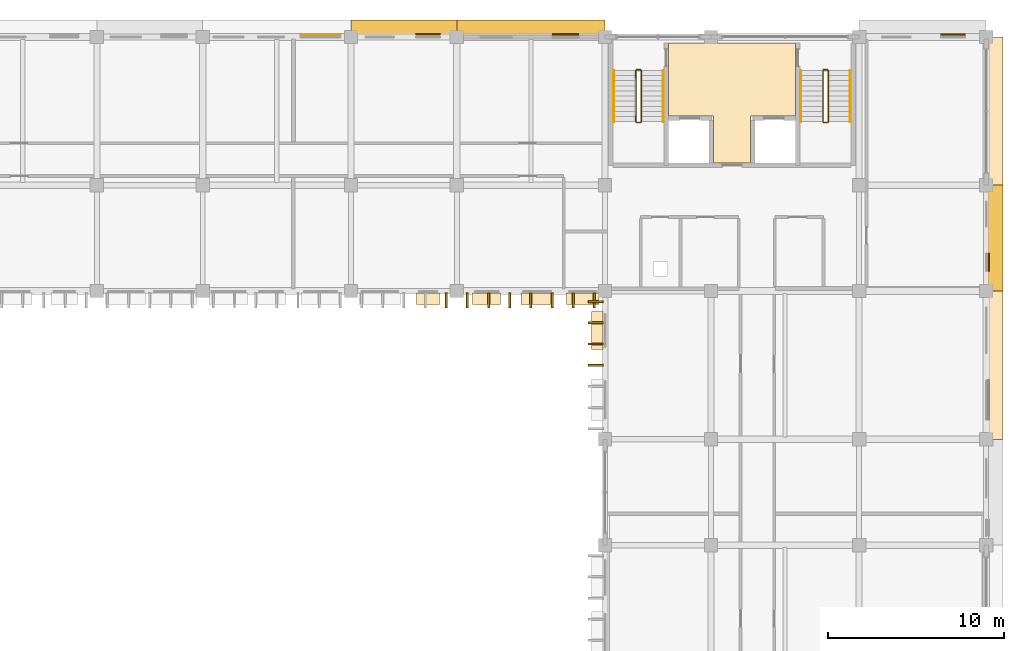
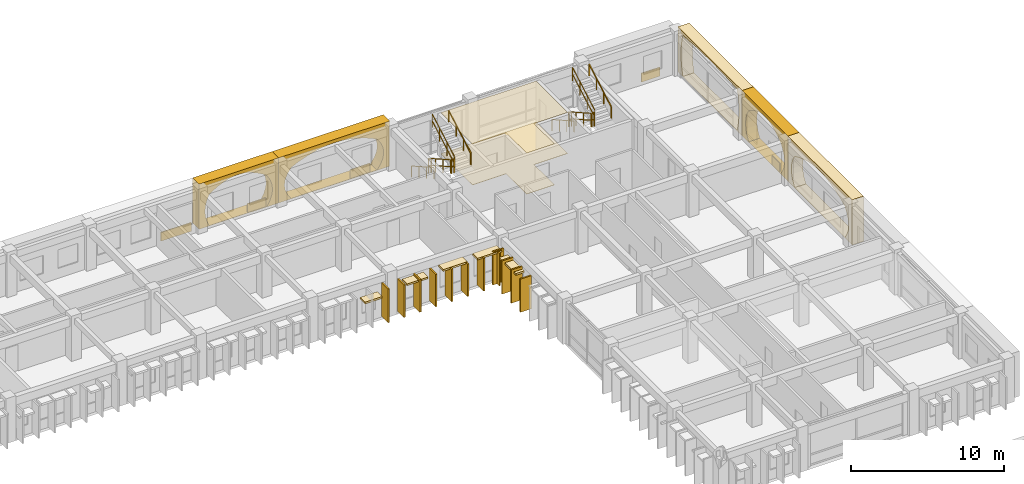
# One storey, part 87 of 88: 29 coverings, 12 railings.
"""IFC4 building model written with IfcOpenShell, lengths in metres."""

from ifc_helpers import new_model, si_unit, direction, frame, origin, origin_2d, place, context, subcontext, project, spatial, polyline, rectangle, outline, extrude, material, layer, layer_set, type_object, element, save


model = new_model("IFC4")

# Units and contexts
model_context = context("Model", 3, precision=1e-05, world=origin(), true_north=direction((0.0, 1.0)))
body_context = subcontext(model_context, "Body", "Model", "MODEL_VIEW")
ifc_project = project(units=[si_unit("LENGTHUNIT", "METRE"), si_unit("AREAUNIT", "SQUARE_METRE"), si_unit("VOLUMEUNIT", "CUBIC_METRE"), si_unit("PLANEANGLEUNIT", "RADIAN"), si_unit("MASSUNIT", "GRAM", prefix="KILO"), si_unit("THERMODYNAMICTEMPERATUREUNIT", "KELVIN")], contexts=[model_context])

# Site, building, storey
site_placement = place(None, origin())
site = spatial("IfcSite", under=ifc_project, at=site_placement, CompositionType="ELEMENT")
building_placement = place(site_placement, origin())
building = spatial("IfcBuilding", under=site, at=building_placement, Name="Thalorik Housing Commons", CompositionType="ELEMENT")
storey_placement = place(building_placement, frame((0.0, 0.0, 4.5)))
storey = spatial("IfcBuildingStorey", under=building, at=storey_placement, Name="L01", CompositionType="ELEMENT", Elevation=4.5)

# Coverings
ifc_material_1 = material(Name="Cobalt blue glazed ceramic facade tile panel", Category="masonry")
ifc_layer_1 = layer(ifc_material_1, 0.06005859375, Name="Cobalt blue glazed ceramic facade tile panel", Category="masonry")
ifc_layer_set_1 = layer_set([ifc_layer_1], Name="Cobalt blue glazed ceramic facade tile panel")
covering_type_1 = type_object("IfcCoveringType", Name="ARC-CLD-BLU-60", PredefinedType="CLADDING", material=ifc_layer_set_1)
covering_1_placement = place(storey_placement, frame((172.12744140625, 123.742431640625, 0.0498046875), z_axis=(0.0, 0.0, 1.0), x_axis=(-1.0, 0.0, 0.0)))
element("IfcCovering", 1, at=covering_1_placement, inside=storey, type_object=covering_type_1, Name="L01 De Stijl Recessed Window Spandrel 1501", PredefinedType="CLADDING", context=body_context, shape_type="SweptSolid", body=[
    extrude(rectangle(XDim=1.39990234375, YDim=0.06005859375, at=origin_2d()), origin(), (0.0, 0.0, 1.0), 0.699951171875),
])
covering_2_placement = place(storey_placement, frame((150.169921875, 123.742431640625, 0.0498046875), z_axis=(0.0, 0.0, 1.0), x_axis=(-1.0, 0.0, 0.0)))
element("IfcCovering", 2, at=covering_2_placement, inside=storey, type_object=covering_type_1, Name="L01 De Stijl Recessed Window Spandrel 1503", PredefinedType="CLADDING", context=body_context, shape_type="SweptSolid", body=[
    extrude(rectangle(XDim=1.5, YDim=0.06005859375, at=origin_2d()), origin(), (0.0, 0.0, 1.0), 0.699951171875),
])
ifc_material_2 = material(Name="Precast concrete C40/50", Category="concrete")
ifc_layer_2 = layer(ifc_material_2, 0.85009765625, Name="Precast concrete C40/50", Category="concrete")
ifc_layer_set_2 = layer_set([ifc_layer_2], Name="Precast concrete C40/50")
covering_type_2 = type_object("IfcCoveringType", Name="ARC-CLD-CUSH-850", PredefinedType="CLADDING", material=ifc_layer_set_2)
covering_3_placement = place(storey_placement, frame((174.532470703125, 112.199951171875, 0.0), z_axis=(0.0, 0.0, 1.0), x_axis=(0.0, 1.0, 0.0)))
element("IfcCovering", 3, at=covering_3_placement, inside=storey, type_object=covering_type_2, Name="L01 White Precast Curved Cushion Bay Frame 1497", PredefinedType="CLADDING", context=body_context, shape_type="SweptSolid", body=[
    extrude(outline(polyline([(-3.0, 0.0), (3.0, 0.0), (3.0, 3.60009765625), (-3.0, 3.60009765625), (-3.0, 0.0)]), holes=[polyline([(2.14501953125, 0.02490234375), (2.3701171875, 0.4375), (2.5048828125, 0.85009765625), (2.550048828125, 1.262451171875), (2.5048828125, 1.675048828125), (2.3701171875, 2.08740234375), (2.14501953125, 2.5), (1.796142578125, 2.755615234375), (1.447509765625, 2.956298828125), (1.0986328125, 3.119140625), (0.75, 3.239990234375), (0.401123046875, 3.314697265625), (0.052490234375, 3.340087890625), (-0.29638671875, 3.314697265625), (-0.64501953125, 3.239990234375), (-0.993896484375, 3.119140625), (-1.342529296875, 2.956298828125), (-1.691162109375, 2.755615234375), (-2.0400390625, 2.5), (-2.3232421875, 2.08740234375), (-2.493408203125, 1.675048828125), (-2.550048828125, 1.262451171875), (-2.493408203125, 0.85009765625), (-2.3232421875, 0.4375), (-2.0400390625, 0.02490234375), (2.14501953125, 0.02490234375)])]), frame((0.0, 0.425048828125, 0.0), z_axis=(0.0, -1.0, 0.0), x_axis=(1.0, 0.0, 0.0)), (0.0, 0.0, 1.0), 0.85009765625),
])
covering_4_placement = place(storey_placement, frame((174.532470703125, 119.39990234375, 0.0), z_axis=(0.0, 0.0, 1.0), x_axis=(0.0, 1.0, 0.0)))
element("IfcCovering", 4, at=covering_4_placement, inside=storey, type_object=covering_type_2, Name="L01 White Precast Curved Cushion Bay Frame 1499", PredefinedType="CLADDING", context=body_context, shape_type="SweptSolid", body=[
    extrude(outline(polyline([(-4.199951171875, 0.0), (4.199951171875, 0.0), (4.199951171875, 3.60009765625), (-4.199951171875, 3.60009765625), (-4.199951171875, 0.0)]), holes=[polyline([(3.550048828125, 0.02490234375), (3.687255859375, 0.57421875), (3.76953125, 1.123291015625), (3.797119140625, 1.672607421875), (3.76953125, 2.2216796875), (3.687255859375, 2.770751953125), (3.550048828125, 3.320068359375), (2.958251953125, 3.362548828125), (2.36669921875, 3.39599609375), (1.77490234375, 3.423095703125), (1.183349609375, 3.443359375), (0.591796875, 3.455810546875), (0.0, 3.4599609375), (-0.591796875, 3.455810546875), (-1.183349609375, 3.443359375), (-1.77490234375, 3.423095703125), (-2.36669921875, 3.39599609375), (-2.958251953125, 3.362548828125), (-3.550048828125, 3.320068359375), (-3.687255859375, 2.770751953125), (-3.76953125, 2.2216796875), (-3.797119140625, 1.672607421875), (-3.76953125, 1.123291015625), (-3.687255859375, 0.57421875), (-3.550048828125, 0.02490234375), (3.550048828125, 0.02490234375)])]), frame((0.0, 0.425048828125, 0.0), z_axis=(0.0, -1.0, 0.0), x_axis=(1.0, 0.0, 0.0)), (0.0, 0.0, 1.0), 0.85009765625),
])
covering_5_placement = place(storey_placement, frame((148.199951171875, 124.132568359375, 0.0), z_axis=(0.0, 0.0, 1.0), x_axis=(-1.0, 0.0, 0.0)))
element("IfcCovering", 5, at=covering_5_placement, inside=storey, type_object=covering_type_2, Name="L01 White Precast Curved Cushion Bay Frame 1502", PredefinedType="CLADDING", context=body_context, shape_type="SweptSolid", body=[
    extrude(outline(polyline([(-4.199951171875, 0.0), (4.199951171875, 0.0), (4.199951171875, 3.60009765625), (-4.199951171875, 3.60009765625), (-4.199951171875, 0.0)]), holes=[polyline([(3.239990234375, 0.02490234375), (3.523193359375, 0.4375), (3.693359375, 0.85009765625), (3.75, 1.262451171875), (3.693359375, 1.675048828125), (3.523193359375, 2.08740234375), (3.239990234375, 2.5), (2.699951171875, 2.755615234375), (2.159912109375, 2.956298828125), (1.6201171875, 3.119140625), (1.080078125, 3.239990234375), (0.5400390625, 3.314697265625), (0.0, 3.340087890625), (-0.5400390625, 3.314697265625), (-1.080078125, 3.239990234375), (-1.6201171875, 3.119140625), (-2.159912109375, 2.956298828125), (-2.699951171875, 2.755615234375), (-3.239990234375, 2.5), (-3.523193359375, 2.08740234375), (-3.693359375, 1.675048828125), (-3.75, 1.262451171875), (-3.693359375, 0.85009765625), (-3.523193359375, 0.4375), (-3.239990234375, 0.02490234375), (3.239990234375, 0.02490234375)])]), frame((0.0, 0.425048828125, 0.0), z_axis=(0.0, -1.0, 0.0), x_axis=(1.0, 0.0, 0.0)), (0.0, 0.0, 1.0), 0.85009765625),
])
covering_6_placement = place(storey_placement, frame((141.0, 124.132568359375, 0.0), z_axis=(0.0, 0.0, 1.0), x_axis=(-1.0, 0.0, 0.0)))
element("IfcCovering", 6, at=covering_6_placement, inside=storey, type_object=covering_type_2, Name="L01 White Precast Curved Cushion Bay Frame 1504", PredefinedType="CLADDING", context=body_context, shape_type="SweptSolid", body=[
    extrude(outline(polyline([(-3.0, 0.0), (3.0, 0.0), (3.0, 3.60009765625), (-3.0, 3.60009765625), (-3.0, 0.0)]), holes=[polyline([(2.2451171875, 0.02490234375), (2.414306640625, 0.4375), (2.51611328125, 0.85009765625), (2.550048828125, 1.262451171875), (2.51611328125, 1.675048828125), (2.414306640625, 2.08740234375), (2.2451171875, 2.5), (1.88134765625, 2.755615234375), (1.517578125, 2.956298828125), (1.15380859375, 3.119140625), (0.7900390625, 3.239990234375), (0.42626953125, 3.314697265625), (0.0625, 3.340087890625), (-0.30126953125, 3.314697265625), (-0.6650390625, 3.239990234375), (-1.02880859375, 3.119140625), (-1.392578125, 2.956298828125), (-1.756103515625, 2.755615234375), (-2.1201171875, 2.5), (-2.35888671875, 2.08740234375), (-2.502197265625, 1.675048828125), (-2.550048828125, 1.262451171875), (-2.502197265625, 0.85009765625), (-2.35888671875, 0.4375), (-2.1201171875, 0.02490234375), (2.2451171875, 0.02490234375)])]), frame((0.0, 0.425048828125, 0.0), z_axis=(0.0, -1.0, 0.0), x_axis=(1.0, 0.0, 0.0)), (0.0, 0.0, 1.0), 0.85009765625),
])
covering_7_placement = place(storey_placement, frame((174.532470703125, 105.0, 0.0), z_axis=(0.0, 0.0, 1.0), x_axis=(0.0, 1.0, 0.0)))
element("IfcCovering", 7, at=covering_7_placement, inside=storey, type_object=covering_type_2, Name="L01 White Precast Curved Cushion Bay Frame 1652", PredefinedType="CLADDING", context=body_context, shape_type="SweptSolid", body=[
    extrude(outline(polyline([(-4.199951171875, 0.0), (4.199951171875, 0.0), (4.199951171875, 3.60009765625), (-4.199951171875, 3.60009765625), (-4.199951171875, 0.0)]), holes=[polyline([(3.320068359375, 0.02490234375), (3.558837890625, 0.44091796875), (3.7021484375, 0.856689453125), (3.75, 1.2724609375), (3.7021484375, 1.688232421875), (3.558837890625, 2.104248046875), (3.320068359375, 2.52001953125), (2.773193359375, 2.76953125), (2.226806640625, 2.965576171875), (1.679931640625, 3.12451171875), (1.13330078125, 3.242431640625), (0.586669921875, 3.3154296875), (0.0400390625, 3.340087890625), (-0.506591796875, 3.3154296875), (-1.05322265625, 3.242431640625), (-1.60009765625, 3.12451171875), (-2.146728515625, 2.965576171875), (-2.693359375, 2.76953125), (-3.239990234375, 2.52001953125), (-3.523193359375, 2.104248046875), (-3.693359375, 1.688232421875), (-3.75, 1.2724609375), (-3.693359375, 0.856689453125), (-3.523193359375, 0.44091796875), (-3.239990234375, 0.02490234375), (3.320068359375, 0.02490234375)])]), frame((0.0, 0.425048828125, 0.0), z_axis=(0.0, -1.0, 0.0), x_axis=(1.0, 0.0, 0.0)), (0.0, 0.0, 1.0), 0.85009765625),
])
ifc_layer_3 = layer(ifc_material_2, 0.85009765625, Name="Precast concrete C40/50", Category="concrete")
ifc_layer_set_3 = layer_set([ifc_layer_3], Name="Precast concrete C40/50")
covering_type_3 = type_object("IfcCoveringType", Name="ARC-CLD-FIN-850", PredefinedType="CLADDING", material=ifc_layer_set_3)
covering_8_placement = place(storey_placement, frame((143.39990234375, 108.66748046875, 0.0400390625), z_axis=(0.0, 0.0, 1.0), x_axis=(1.0, 0.0, 0.0)))
element("IfcCovering", 8, at=covering_8_placement, inside=storey, type_object=covering_type_3, Name="L01 Courtyard Precast Vertical Brise-Soleil Fin 1593", PredefinedType="CLADDING", context=body_context, shape_type="SweptSolid", body=[
    extrude(rectangle(XDim=0.110107421875, YDim=0.85009765625, at=origin_2d()), origin(), (0.0, 0.0, 1.0), 2.695068359375),
])
for number, where, z_axis, x_axis, name in (
    (9, (144.60009765625, 108.66748046875, 0.0400390625), (0.0, 0.0, 1.0), (1.0, 0.0, 0.0), "L01 Courtyard Precast Vertical Brise-Soleil Fin 1596"),
    (10, (145.800048828125, 108.66748046875, 0.0400390625), (0.0, 0.0, 1.0), (1.0, 0.0, 0.0), "L01 Courtyard Precast Vertical Brise-Soleil Fin 1597"),
    (11, (147.0, 108.66748046875, 0.0400390625), (0.0, 0.0, 1.0), (1.0, 0.0, 0.0), "L01 Courtyard Precast Vertical Brise-Soleil Fin 1598"),
    (12, (148.199951171875, 108.66748046875, 0.0400390625), (0.0, 0.0, 1.0), (1.0, 0.0, 0.0), "L01 Courtyard Precast Vertical Brise-Soleil Fin 1599"),
    (13, (149.39990234375, 108.66748046875, 0.0400390625), (0.0, 0.0, 1.0), (1.0, 0.0, 0.0), "L01 Courtyard Precast Vertical Brise-Soleil Fin 1600"),
    (14, (150.60009765625, 108.66748046875, 0.0400390625), (0.0, 0.0, 1.0), (1.0, 0.0, 0.0), "L01 Courtyard Precast Vertical Brise-Soleil Fin 1601"),
    (15, (151.800048828125, 108.66748046875, 0.0400390625), (0.0, 0.0, 1.0), (1.0, 0.0, 0.0), "L01 Courtyard Precast Vertical Brise-Soleil Fin 1602"),
):
    element("IfcCovering", number, at=place(storey_placement, frame(where, z_axis=z_axis, x_axis=x_axis)), inside=storey, type_object=covering_type_3, Name=name, PredefinedType="CLADDING", context=body_context, shape_type="SweptSolid", body=[
        extrude(rectangle(XDim=0.110107421875, YDim=0.85009765625, at=origin_2d()), origin(), (0.0, 0.0, 1.0), 2.594970703125),
    ])
for number, where, z_axis, x_axis, name in (
    (16, (151.867431640625, 108.60009765625, 0.0400390625), (0.0, 0.0, 1.0), (0.0, -1.0, 0.0), "L01 Courtyard Precast Vertical Brise-Soleil Fin 1606"),
    (17, (151.867431640625, 107.39990234375, 0.0400390625), (0.0, 0.0, 1.0), (0.0, -1.0, 0.0), "L01 Courtyard Precast Vertical Brise-Soleil Fin 1607"),
    (18, (151.867431640625, 106.199951171875, 0.0400390625), (0.0, 0.0, 1.0), (0.0, -1.0, 0.0), "L01 Courtyard Precast Vertical Brise-Soleil Fin 1608"),
    (19, (151.867431640625, 105.0, 0.0400390625), (0.0, 0.0, 1.0), (0.0, -1.0, 0.0), "L01 Courtyard Precast Vertical Brise-Soleil Fin 1609"),
):
    element("IfcCovering", number, at=place(storey_placement, frame(where, z_axis=z_axis, x_axis=x_axis)), inside=storey, type_object=covering_type_3, Name=name, PredefinedType="CLADDING", context=body_context, shape_type="SweptSolid", body=[
        extrude(rectangle(XDim=0.110107421875, YDim=0.85009765625, at=origin_2d()), origin(), (0.0, 0.0, 1.0), 2.64501953125),
    ])
ifc_layer_4 = layer(ifc_material_2, 0.64990234375, Name="Precast concrete C40/50", Category="concrete")
ifc_layer_set_4 = layer_set([ifc_layer_4], Name="Precast concrete C40/50")
covering_type_4 = type_object("IfcCoveringType", Name="ARC-CLD-HOOD-650", PredefinedType="CLADDING", material=ifc_layer_set_4)
covering_9_placement = place(storey_placement, frame((142.3701171875, 108.767578125, 1.990234375), z_axis=(0.0, 0.0, 1.0), x_axis=(1.0, 0.0, 0.0)))
element("IfcCovering", 20, at=covering_9_placement, inside=storey, type_object=covering_type_4, Name="L01 Courtyard Precast Window Sun-Hood 1595", PredefinedType="CLADDING", context=body_context, shape_type="SweptSolid", body=[
    extrude(rectangle(XDim=1.2900390625, YDim=0.64990234375, at=origin_2d()), origin(), (0.0, 0.0, 1.0), 0.139892578125),
])
covering_10_placement = place(storey_placement, frame((145.68994140625, 108.767578125, 2.33984375), z_axis=(0.0, 0.0, 1.0), x_axis=(1.0, 0.0, 0.0)))
element("IfcCovering", 21, at=covering_10_placement, inside=storey, type_object=covering_type_4, Name="L01 Courtyard Precast Window Sun-Hood 1603", PredefinedType="CLADDING", context=body_context, shape_type="SweptSolid", body=[
    extrude(rectangle(XDim=1.590087890625, YDim=0.64990234375, at=origin_2d()), origin(), (0.0, 0.0, 1.0), 0.139892578125),
])
for number, where, z_axis, x_axis, name in (
    (22, (148.550048828125, 108.767578125, 2.52490234375), (0.0, 0.0, 1.0), (1.0, 0.0, 0.0), "L01 Courtyard Precast Window Sun-Hood 1604"),
    (23, (151.1298828125, 108.767578125, 2.52490234375), (0.0, 0.0, 1.0), (1.0, 0.0, 0.0), "L01 Courtyard Precast Window Sun-Hood 1605"),
):
    element("IfcCovering", number, at=place(storey_placement, frame(where, z_axis=z_axis, x_axis=x_axis)), inside=storey, type_object=covering_type_4, Name=name, PredefinedType="CLADDING", context=body_context, shape_type="SweptSolid", body=[
        extrude(rectangle(XDim=1.840087890625, YDim=0.64990234375, at=origin_2d()), origin(), (0.0, 0.0, 1.0), 0.139892578125),
    ])
covering_11_placement = place(storey_placement, frame((151.967529296875, 106.969970703125, 2.33984375), z_axis=(0.0, 0.0, 1.0), x_axis=(0.0, -1.0, 0.0)))
element("IfcCovering", 24, at=covering_11_placement, inside=storey, type_object=covering_type_4, Name="L01 Courtyard Precast Window Sun-Hood 1613", PredefinedType="CLADDING", context=body_context, shape_type="SweptSolid", body=[
    extrude(rectangle(XDim=2.139892578125, YDim=0.64990234375, at=origin_2d()), origin(), (0.0, 0.0, 1.0), 0.139892578125),
])
ifc_material_3 = material(Name="Terracotta red mineral fibre-cement panel", Category="masonry")
ifc_layer_5 = layer(ifc_material_3, 0.054931640625, Name="Terracotta red mineral fibre-cement panel", Category="masonry")
ifc_layer_set_5 = layer_set([ifc_layer_5], Name="Terracotta red mineral fibre-cement panel")
covering_type_5 = type_object("IfcCoveringType", Name="ARC-CLD-RED-55", PredefinedType="CLADDING", material=ifc_layer_set_5)
covering_12_placement = place(storey_placement, frame((136.27490234375, 123.739990234375, 0.0498046875), z_axis=(0.0, 0.0, 1.0), x_axis=(-1.0, 0.0, 0.0)))
element("IfcCovering", 25, at=covering_12_placement, inside=storey, type_object=covering_type_5, Name="L01 De Stijl Recessed Window Spandrel 1507", PredefinedType="CLADDING", context=body_context, shape_type="SweptSolid", body=[
    extrude(rectangle(XDim=2.300048828125, YDim=0.054931640625, at=origin_2d()), origin(), (0.0, 0.0, 1.0), 0.699951171875),
])
ifc_material_4 = material(Name="Mineral ochre architectural terracotta panel", Category="masonry")
ifc_layer_6 = layer(ifc_material_4, 0.06494140625, Name="Mineral ochre architectural terracotta panel", Category="masonry")
ifc_layer_set_6 = layer_set([ifc_layer_6], Name="Mineral ochre architectural terracotta panel")
covering_type_6 = type_object("IfcCoveringType", Name="ARC-CLD-YEL-65", PredefinedType="CLADDING", material=ifc_layer_set_6)
covering_13_placement = place(storey_placement, frame((174.14501953125, 110.830078125, 0.0498046875), z_axis=(0.0, 0.0, 1.0), x_axis=(0.0, 1.0, 0.0)))
element("IfcCovering", 26, at=covering_13_placement, inside=storey, type_object=covering_type_6, Name="L01 De Stijl Recessed Window Spandrel 1498", PredefinedType="CLADDING", context=body_context, shape_type="SweptSolid", body=[
    extrude(rectangle(XDim=1.0, YDim=0.06494140625, at=origin_2d()), origin(), (0.0, 0.0, 1.0), 0.699951171875),
])
covering_14_placement = place(storey_placement, frame((142.3701171875, 123.7451171875, 0.0498046875), z_axis=(0.0, 0.0, 1.0), x_axis=(-1.0, 0.0, 0.0)))
element("IfcCovering", 27, at=covering_14_placement, inside=storey, type_object=covering_type_6, Name="L01 De Stijl Recessed Window Spandrel 1505", PredefinedType="CLADDING", context=body_context, shape_type="SweptSolid", body=[
    extrude(rectangle(XDim=1.39990234375, YDim=0.06494140625, at=origin_2d()), origin(), (0.0, 0.0, 1.0), 0.699951171875),
])
ifc_material_5 = material(Name="Fire-rated calcium silicate corridor ceiling")
ifc_layer_7 = layer(ifc_material_5, 0.030029296875, Name="Fire-rated calcium silicate corridor ceiling")
ifc_layer_set_7 = layer_set([ifc_layer_7], Name="Fire-rated calcium silicate corridor ceiling")
covering_type_7 = type_object("IfcCoveringType", Name="ARC-COV-CEIL-05", PredefinedType="CEILING", material=ifc_layer_set_7)
covering_15_placement = place(storey_placement, frame((0.0, 0.0, 3.27001953125)))
element("IfcCovering", 28, at=covering_15_placement, inside=storey, type_object=covering_type_7, Name="L01 Block B Firefighting Lift Lobby Suspended Ceiling", PredefinedType="CEILING", context=body_context, shape_type="SweptSolid", body=[
    extrude(outline(polyline([(158.550048828125, 116.449951171875), (160.64990234375, 116.449951171875), (160.650146484375, 119.1201171875), (163.199951171875, 119.1201171875), (163.199951171875, 123.25), (156.0, 123.25), (156.0, 119.1201171875), (158.550048828125, 119.1201171875), (158.550048828125, 116.449951171875)])), origin(), (0.0, 0.0, 1.0), 0.030029296875),
])
ifc_material_6 = material(Name="Heavy-duty porcelain metro vestibule tile")
ifc_layer_8 = layer(ifc_material_6, 0.028076171875, Name="Heavy-duty porcelain metro vestibule tile")
ifc_layer_set_8 = layer_set([ifc_layer_8], Name="Heavy-duty porcelain metro vestibule tile")
covering_type_8 = type_object("IfcCoveringType", Name="ARC-COV-FLR-05", PredefinedType="FLOORING", material=ifc_layer_set_8)
covering_16_placement = place(storey_placement, origin())
element("IfcCovering", 29, at=covering_16_placement, inside=storey, type_object=covering_type_8, Name="L01 Block B Firefighting Lift Lobby Flooring", PredefinedType="FLOORING", context=body_context, shape_type="SweptSolid", body=[
    extrude(outline(polyline([(158.550048828125, 116.449951171875), (160.64990234375, 116.449951171875), (160.650146484375, 119.1201171875), (163.199951171875, 119.1201171875), (163.199951171875, 123.25), (156.0, 123.25), (156.0, 119.1201171875), (158.550048828125, 119.1201171875), (158.550048828125, 116.449951171875)])), origin(), (0.0, 0.0, 1.0), 0.028076171875),
])

# Railings
ifc_material_7 = material(Name="Steel S355", Category="steel")
railing_type_1 = type_object("IfcRailingType", Name="ARC-RL-STR-GRD110", PredefinedType="GUARDRAIL", material=ifc_material_7)
railing_1_placement = place(storey_placement, frame((154.14990234375, 121.699951171875, 0.16357421875)))
element("IfcRailing", 30, at=railing_1_placement, inside=storey, type_object=railing_type_1, Name="L01 ST-B1 stair guard 1", PredefinedType="GUARDRAIL", context=body_context, shape_type="SweptSolid", body=[
    extrude(rectangle(XDim=0.048095703125, YDim=0.048095703125, at=origin_2d()), frame((0.0, 0.0, 1.076171875), z_axis=(0.0, -0.870897200241, 0.491465224214), x_axis=(1.0, 0.0, 0.0)), (0.0, 0.0, 1.0), 3.329833984375),
    extrude(rectangle(XDim=0.048095703125, YDim=0.048095703125, at=origin_2d()), frame((0.0, 0.0, 0.52587890625), z_axis=(0.0, -0.870897200241, 0.491465224214), x_axis=(1.0, 0.0, 0.0)), (0.0, 0.0, 1.0), 3.329833984375),
    extrude(rectangle(XDim=0.0419921875, YDim=0.0419921875, at=origin_2d()), origin(), (0.0, 0.0, 1.0), 1.052001953125),
    extrude(rectangle(XDim=0.0419921875, YDim=0.0419921875, at=origin_2d()), frame((0.0, -0.966552734375, 0.54541015625)), (0.0, 0.0, 1.0), 1.052001953125),
    extrude(rectangle(XDim=0.0419921875, YDim=0.0419921875, at=origin_2d()), frame((0.0, -1.933349609375, 1.091064453125)), (0.0, 0.0, 1.0), 1.052001953125),
    extrude(rectangle(XDim=0.0419921875, YDim=0.0419921875, at=origin_2d()), frame((0.0, -2.89990234375, 1.636474609375)), (0.0, 0.0, 1.0), 1.052001953125),
])
railing_2_placement = place(storey_placement, frame((154.199951171875, 118.75, 1.800048828125)))
element("IfcRailing", 31, at=railing_2_placement, inside=storey, type_object=railing_type_1, Name="L01 ST-B1 stair guard 2", PredefinedType="GUARDRAIL", context=body_context, shape_type="SweptSolid", body=[
    extrude(rectangle(XDim=0.048095703125, YDim=0.048095703125, at=origin_2d()), frame((0.0, 0.0, 1.076171875), z_axis=(1.0, 0.0, 0.0), x_axis=(0.0, 1.0, 0.0)), (0.0, 0.0, 1.0), 0.199951171875),
    extrude(rectangle(XDim=0.048095703125, YDim=0.048095703125, at=origin_2d()), frame((0.0, 0.0, 0.52587890625), z_axis=(1.0, 0.0, 0.0), x_axis=(0.0, 1.0, 0.0)), (0.0, 0.0, 1.0), 0.199951171875),
    extrude(rectangle(XDim=0.0419921875, YDim=0.0419921875, at=origin_2d()), origin(), (0.0, 0.0, 1.0), 1.052001953125),
    extrude(rectangle(XDim=0.0419921875, YDim=0.0419921875, at=origin_2d()), frame((0.199951171875, 0.0, 0.0)), (0.0, 0.0, 1.0), 1.052001953125),
])
railing_3_placement = place(storey_placement, frame((154.449951171875, 118.800048828125, 1.963623046875)))
element("IfcRailing", 32, at=railing_3_placement, inside=storey, type_object=railing_type_1, Name="L01 ST-B1 stair guard 3", PredefinedType="GUARDRAIL", context=body_context, shape_type="SweptSolid", body=[
    extrude(rectangle(XDim=0.048095703125, YDim=0.048095703125, at=origin_2d()), frame((0.0, 0.0, 1.076171875), z_axis=(0.0, 0.870897200241, 0.491465224214), x_axis=(-1.0, 0.0, 0.0)), (0.0, 0.0, 1.0), 3.329833984375),
    extrude(rectangle(XDim=0.048095703125, YDim=0.048095703125, at=origin_2d()), frame((0.0, 0.0, 0.52587890625), z_axis=(0.0, 0.870897200241, 0.491465224214), x_axis=(-1.0, 0.0, 0.0)), (0.0, 0.0, 1.0), 3.329833984375),
    extrude(rectangle(XDim=0.0419921875, YDim=0.0419921875, at=origin_2d()), origin(), (0.0, 0.0, 1.0), 1.052001953125),
    extrude(rectangle(XDim=0.0419921875, YDim=0.0419921875, at=origin_2d()), frame((0.0, 0.966552734375, 0.54541015625)), (0.0, 0.0, 1.0), 1.052001953125),
    extrude(rectangle(XDim=0.0419921875, YDim=0.0419921875, at=origin_2d()), frame((0.0, 1.933349609375, 1.091064453125)), (0.0, 0.0, 1.0), 1.052001953125),
    extrude(rectangle(XDim=0.0419921875, YDim=0.0419921875, at=origin_2d()), frame((0.0, 2.89990234375, 1.636474609375)), (0.0, 0.0, 1.0), 1.052001953125),
])
railing_4_placement = place(storey_placement, frame((154.199951171875, 121.75, 0.0)))
element("IfcRailing", 33, at=railing_4_placement, inside=storey, type_object=railing_type_1, Name="L01 ST-B1 stair guard 4", PredefinedType="GUARDRAIL", context=body_context, shape_type="SweptSolid", body=[
    extrude(rectangle(XDim=0.048095703125, YDim=0.048095703125, at=origin_2d()), frame((0.0, 0.0, 1.076171875), z_axis=(1.0, 0.0, 0.0), x_axis=(0.0, 1.0, 0.0)), (0.0, 0.0, 1.0), 0.199951171875),
    extrude(rectangle(XDim=0.048095703125, YDim=0.048095703125, at=origin_2d()), frame((0.0, 0.0, 0.52587890625), z_axis=(1.0, 0.0, 0.0), x_axis=(0.0, 1.0, 0.0)), (0.0, 0.0, 1.0), 0.199951171875),
    extrude(rectangle(XDim=0.0419921875, YDim=0.0419921875, at=origin_2d()), origin(), (0.0, 0.0, 1.0), 1.052001953125),
    extrude(rectangle(XDim=0.0419921875, YDim=0.0419921875, at=origin_2d()), frame((0.199951171875, 0.0, 0.0)), (0.0, 0.0, 1.0), 1.052001953125),
])
railing_5_placement = place(storey_placement, frame((164.75, 121.699951171875, 0.16357421875)))
element("IfcRailing", 34, at=railing_5_placement, inside=storey, type_object=railing_type_1, Name="L01 ST-B2 stair guard 1", PredefinedType="GUARDRAIL", context=body_context, shape_type="SweptSolid", body=[
    extrude(rectangle(XDim=0.048095703125, YDim=0.048095703125, at=origin_2d()), frame((0.0, 0.0, 1.076171875), z_axis=(0.0, -0.870897200241, 0.491465224214), x_axis=(1.0, 0.0, 0.0)), (0.0, 0.0, 1.0), 3.329833984375),
    extrude(rectangle(XDim=0.048095703125, YDim=0.048095703125, at=origin_2d()), frame((0.0, 0.0, 0.52587890625), z_axis=(0.0, -0.870897200241, 0.491465224214), x_axis=(1.0, 0.0, 0.0)), (0.0, 0.0, 1.0), 3.329833984375),
    extrude(rectangle(XDim=0.0419921875, YDim=0.0419921875, at=origin_2d()), origin(), (0.0, 0.0, 1.0), 1.052001953125),
    extrude(rectangle(XDim=0.0419921875, YDim=0.0419921875, at=origin_2d()), frame((0.0, -0.966552734375, 0.54541015625)), (0.0, 0.0, 1.0), 1.052001953125),
    extrude(rectangle(XDim=0.0419921875, YDim=0.0419921875, at=origin_2d()), frame((0.0, -1.933349609375, 1.091064453125)), (0.0, 0.0, 1.0), 1.052001953125),
    extrude(rectangle(XDim=0.0419921875, YDim=0.0419921875, at=origin_2d()), frame((0.0, -2.89990234375, 1.636474609375)), (0.0, 0.0, 1.0), 1.052001953125),
])
railing_6_placement = place(storey_placement, frame((164.800048828125, 118.75, 1.800048828125)))
element("IfcRailing", 35, at=railing_6_placement, inside=storey, type_object=railing_type_1, Name="L01 ST-B2 stair guard 2", PredefinedType="GUARDRAIL", context=body_context, shape_type="SweptSolid", body=[
    extrude(rectangle(XDim=0.048095703125, YDim=0.048095703125, at=origin_2d()), frame((0.0, 0.0, 1.076171875), z_axis=(1.0, 0.0, 0.0), x_axis=(0.0, 1.0, 0.0)), (0.0, 0.0, 1.0), 0.199951171875),
    extrude(rectangle(XDim=0.048095703125, YDim=0.048095703125, at=origin_2d()), frame((0.0, 0.0, 0.52587890625), z_axis=(1.0, 0.0, 0.0), x_axis=(0.0, 1.0, 0.0)), (0.0, 0.0, 1.0), 0.199951171875),
    extrude(rectangle(XDim=0.0419921875, YDim=0.0419921875, at=origin_2d()), origin(), (0.0, 0.0, 1.0), 1.052001953125),
    extrude(rectangle(XDim=0.0419921875, YDim=0.0419921875, at=origin_2d()), frame((0.199951171875, 0.0, 0.0)), (0.0, 0.0, 1.0), 1.052001953125),
])
railing_7_placement = place(storey_placement, frame((165.050048828125, 118.800048828125, 1.963623046875)))
element("IfcRailing", 36, at=railing_7_placement, inside=storey, type_object=railing_type_1, Name="L01 ST-B2 stair guard 3", PredefinedType="GUARDRAIL", context=body_context, shape_type="SweptSolid", body=[
    extrude(rectangle(XDim=0.048095703125, YDim=0.048095703125, at=origin_2d()), frame((0.0, 0.0, 1.076171875), z_axis=(0.0, 0.870897200241, 0.491465224214), x_axis=(-1.0, 0.0, 0.0)), (0.0, 0.0, 1.0), 3.329833984375),
    extrude(rectangle(XDim=0.048095703125, YDim=0.048095703125, at=origin_2d()), frame((0.0, 0.0, 0.52587890625), z_axis=(0.0, 0.870897200241, 0.491465224214), x_axis=(-1.0, 0.0, 0.0)), (0.0, 0.0, 1.0), 3.329833984375),
    extrude(rectangle(XDim=0.0419921875, YDim=0.0419921875, at=origin_2d()), origin(), (0.0, 0.0, 1.0), 1.052001953125),
    extrude(rectangle(XDim=0.0419921875, YDim=0.0419921875, at=origin_2d()), frame((0.0, 0.966552734375, 0.54541015625)), (0.0, 0.0, 1.0), 1.052001953125),
    extrude(rectangle(XDim=0.0419921875, YDim=0.0419921875, at=origin_2d()), frame((0.0, 1.933349609375, 1.091064453125)), (0.0, 0.0, 1.0), 1.052001953125),
    extrude(rectangle(XDim=0.0419921875, YDim=0.0419921875, at=origin_2d()), frame((0.0, 2.89990234375, 1.636474609375)), (0.0, 0.0, 1.0), 1.052001953125),
])
railing_8_placement = place(storey_placement, frame((164.800048828125, 121.75, 0.0)))
element("IfcRailing", 37, at=railing_8_placement, inside=storey, type_object=railing_type_1, Name="L01 ST-B2 stair guard 4", PredefinedType="GUARDRAIL", context=body_context, shape_type="SweptSolid", body=[
    extrude(rectangle(XDim=0.048095703125, YDim=0.048095703125, at=origin_2d()), frame((0.0, 0.0, 1.076171875), z_axis=(1.0, 0.0, 0.0), x_axis=(0.0, 1.0, 0.0)), (0.0, 0.0, 1.0), 0.199951171875),
    extrude(rectangle(XDim=0.048095703125, YDim=0.048095703125, at=origin_2d()), frame((0.0, 0.0, 0.52587890625), z_axis=(1.0, 0.0, 0.0), x_axis=(0.0, 1.0, 0.0)), (0.0, 0.0, 1.0), 0.199951171875),
    extrude(rectangle(XDim=0.0419921875, YDim=0.0419921875, at=origin_2d()), origin(), (0.0, 0.0, 1.0), 1.052001953125),
    extrude(rectangle(XDim=0.0419921875, YDim=0.0419921875, at=origin_2d()), frame((0.199951171875, 0.0, 0.0)), (0.0, 0.0, 1.0), 1.052001953125),
])
railing_type_2 = type_object("IfcRailingType", Name="ARC-RL-STR-HR092", PredefinedType="HANDRAIL", material=ifc_material_7)
railing_9_placement = place(storey_placement, frame((152.89990234375, 121.699951171875, 0.16357421875)))
element("IfcRailing", 38, at=railing_9_placement, inside=storey, type_object=railing_type_2, Name="L01 ST-B1 stair handrail 1", PredefinedType="HANDRAIL", context=body_context, shape_type="SweptSolid", body=[
    extrude(rectangle(XDim=0.048095703125, YDim=0.048095703125, at=origin_2d()), frame((0.0, 0.0, 0.89599609375), z_axis=(0.0, -0.870897200241, 0.491465224214), x_axis=(1.0, 0.0, 0.0)), (0.0, 0.0, 1.0), 3.329833984375),
    extrude(rectangle(XDim=0.0419921875, YDim=0.0419921875, at=origin_2d()), origin(), (0.0, 0.0, 1.0), 0.871826171875),
    extrude(rectangle(XDim=0.0419921875, YDim=0.0419921875, at=origin_2d()), frame((0.0, -0.966552734375, 0.54541015625)), (0.0, 0.0, 1.0), 0.871826171875),
    extrude(rectangle(XDim=0.0419921875, YDim=0.0419921875, at=origin_2d()), frame((0.0, -1.933349609375, 1.091064453125)), (0.0, 0.0, 1.0), 0.871826171875),
    extrude(rectangle(XDim=0.0419921875, YDim=0.0419921875, at=origin_2d()), frame((0.0, -2.89990234375, 1.636474609375)), (0.0, 0.0, 1.0), 0.871826171875),
])
railing_10_placement = place(storey_placement, frame((155.699951171875, 118.800048828125, 1.963623046875)))
element("IfcRailing", 39, at=railing_10_placement, inside=storey, type_object=railing_type_2, Name="L01 ST-B1 stair handrail 2", PredefinedType="HANDRAIL", context=body_context, shape_type="SweptSolid", body=[
    extrude(rectangle(XDim=0.048095703125, YDim=0.048095703125, at=origin_2d()), frame((0.0, 0.0, 0.89599609375), z_axis=(0.0, 0.870897200241, 0.491465224214), x_axis=(-1.0, 0.0, 0.0)), (0.0, 0.0, 1.0), 3.329833984375),
    extrude(rectangle(XDim=0.0419921875, YDim=0.0419921875, at=origin_2d()), origin(), (0.0, 0.0, 1.0), 0.871826171875),
    extrude(rectangle(XDim=0.0419921875, YDim=0.0419921875, at=origin_2d()), frame((0.0, 0.966552734375, 0.54541015625)), (0.0, 0.0, 1.0), 0.871826171875),
    extrude(rectangle(XDim=0.0419921875, YDim=0.0419921875, at=origin_2d()), frame((0.0, 1.933349609375, 1.091064453125)), (0.0, 0.0, 1.0), 0.871826171875),
    extrude(rectangle(XDim=0.0419921875, YDim=0.0419921875, at=origin_2d()), frame((0.0, 2.89990234375, 1.636474609375)), (0.0, 0.0, 1.0), 0.871826171875),
])
railing_11_placement = place(storey_placement, frame((163.5, 121.699951171875, 0.16357421875)))
element("IfcRailing", 40, at=railing_11_placement, inside=storey, type_object=railing_type_2, Name="L01 ST-B2 stair handrail 1", PredefinedType="HANDRAIL", context=body_context, shape_type="SweptSolid", body=[
    extrude(rectangle(XDim=0.048095703125, YDim=0.048095703125, at=origin_2d()), frame((0.0, 0.0, 0.89599609375), z_axis=(0.0, -0.870897200241, 0.491465224214), x_axis=(1.0, 0.0, 0.0)), (0.0, 0.0, 1.0), 3.329833984375),
    extrude(rectangle(XDim=0.0419921875, YDim=0.0419921875, at=origin_2d()), origin(), (0.0, 0.0, 1.0), 0.871826171875),
    extrude(rectangle(XDim=0.0419921875, YDim=0.0419921875, at=origin_2d()), frame((0.0, -0.966552734375, 0.54541015625)), (0.0, 0.0, 1.0), 0.871826171875),
    extrude(rectangle(XDim=0.0419921875, YDim=0.0419921875, at=origin_2d()), frame((0.0, -1.933349609375, 1.091064453125)), (0.0, 0.0, 1.0), 0.871826171875),
    extrude(rectangle(XDim=0.0419921875, YDim=0.0419921875, at=origin_2d()), frame((0.0, -2.89990234375, 1.636474609375)), (0.0, 0.0, 1.0), 0.871826171875),
])
railing_12_placement = place(storey_placement, frame((166.300048828125, 118.800048828125, 1.963623046875)))
element("IfcRailing", 41, at=railing_12_placement, inside=storey, type_object=railing_type_2, Name="L01 ST-B2 stair handrail 2", PredefinedType="HANDRAIL", context=body_context, shape_type="SweptSolid", body=[
    extrude(rectangle(XDim=0.048095703125, YDim=0.048095703125, at=origin_2d()), frame((0.0, 0.0, 0.89599609375), z_axis=(0.0, 0.870897200241, 0.491465224214), x_axis=(-1.0, 0.0, 0.0)), (0.0, 0.0, 1.0), 3.329833984375),
    extrude(rectangle(XDim=0.0419921875, YDim=0.0419921875, at=origin_2d()), origin(), (0.0, 0.0, 1.0), 0.871826171875),
    extrude(rectangle(XDim=0.0419921875, YDim=0.0419921875, at=origin_2d()), frame((0.0, 0.966552734375, 0.54541015625)), (0.0, 0.0, 1.0), 0.871826171875),
    extrude(rectangle(XDim=0.0419921875, YDim=0.0419921875, at=origin_2d()), frame((0.0, 1.933349609375, 1.091064453125)), (0.0, 0.0, 1.0), 0.871826171875),
    extrude(rectangle(XDim=0.0419921875, YDim=0.0419921875, at=origin_2d()), frame((0.0, 2.89990234375, 1.636474609375)), (0.0, 0.0, 1.0), 0.871826171875),
])

save(model, "model.ifc")
